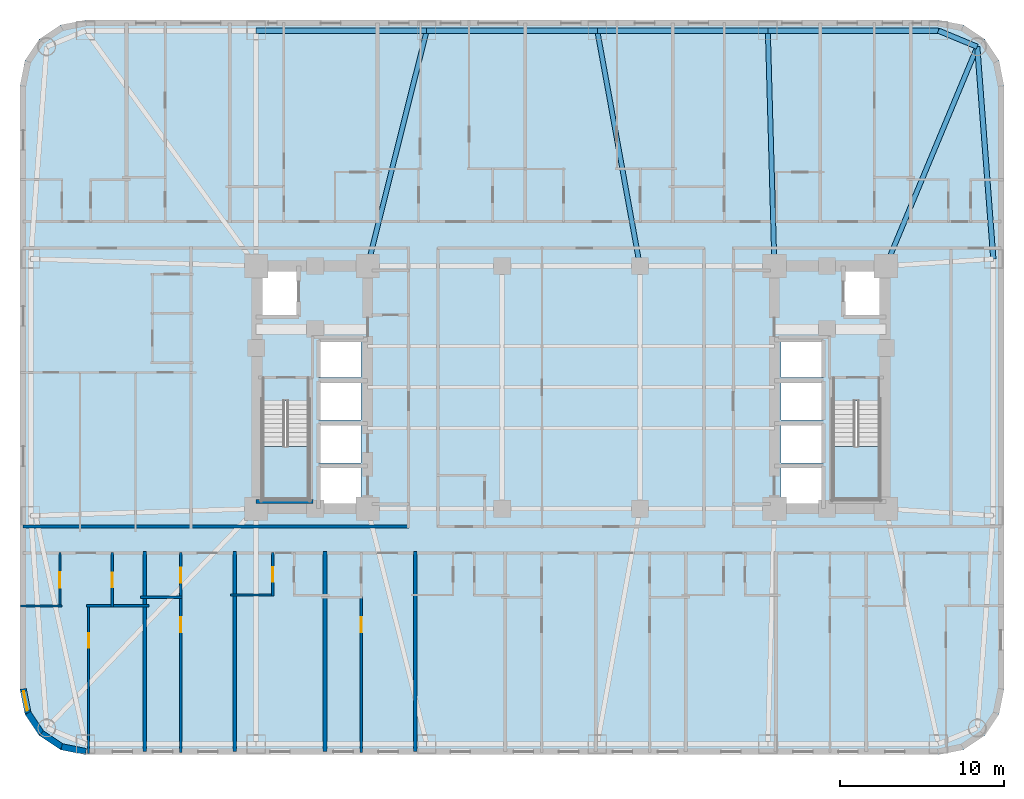
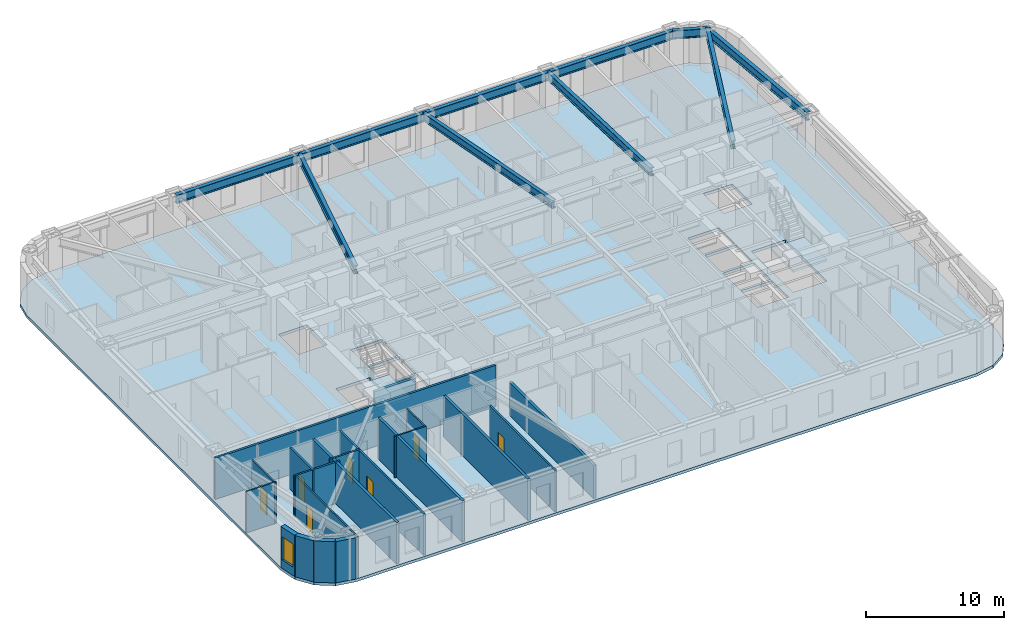
# One storey, part 2 of 11: 21 walls, 10 beams, 7 doors, 3 slabs, 1 window, 8 openings, 2 elements without a shape of their own.
"""IFC4 building model written with IfcOpenShell, lengths in metres."""

from ifc_helpers import new_model, si_unit, direction, frame, frame_2d, origin, origin_2d, place, context, subcontext, project, spatial, polyline, rectangle, i_section, outline, extrude, material, layer, layer_set, material_profile, profile_set, type_object, element, fill, aggregate, save


model = new_model("IFC4")

# Units and contexts
model_context = context("Model", 3, precision=1e-05, world=origin(), true_north=direction((0.0, 1.0)))
body_context = subcontext(model_context, "Body", "Model", "MODEL_VIEW")
ifc_project = project(units=[si_unit("LENGTHUNIT", "METRE"), si_unit("AREAUNIT", "SQUARE_METRE"), si_unit("VOLUMEUNIT", "CUBIC_METRE"), si_unit("PLANEANGLEUNIT", "RADIAN"), si_unit("MASSUNIT", "GRAM", prefix="KILO")], contexts=[model_context])

# Site, building, storey
site_placement = place(None, origin())
site = spatial("IfcSite", under=ifc_project, at=site_placement, CompositionType="ELEMENT")
building_placement = place(site_placement, origin())
building = spatial("IfcBuilding", under=site, at=building_placement, Name="Voryun Gate Residences", CompositionType="ELEMENT")
storey_placement = place(building_placement, frame((0.0, 0.0, 33.800048828125)))
storey = spatial("IfcBuildingStorey", under=building, at=storey_placement, Name="L07", CompositionType="ELEMENT", Elevation=33.800048828125)

# Beams
ifc_material_1 = material(Name="Steel SM355", Category="steel")
ifc_material_profile_1 = material_profile(ifc_material_1, i_section(OverallWidth=0.320068359375, OverallDepth=0.75, WebThickness=0.01611328125, FlangeThickness=0.028076171875, FilletRadius=0.01806640625, at=origin_2d()), Name="H-750x320x16x28")
ifc_profile_set_1 = profile_set([ifc_material_profile_1], Name="Steel SM355")
beam_type_1 = type_object("IfcBeamType", Name="BM_EXO_SPANDREL_L", PredefinedType="SPANDREL", material=ifc_profile_set_1)
beam_1_placement = place(storey_placement, frame((25.75, 7.830078125, 3.27490234375), z_axis=(-0.075617360159, 0.997136908776, 0.0), x_axis=(-0.997136908776, -0.075617360159, 0.0)))
element("IfcBeam", 1, at=beam_1_placement, inside=storey, type_object=beam_type_1, Name="BM-L07-SPAND-09", PredefinedType="SPANDREL", context=body_context, shape_type="SweptSolid", body=[
    extrude(i_section(OverallWidth=0.320068359375, OverallDepth=0.75, WebThickness=0.01611328125, FlangeThickness=0.028076171875, FilletRadius=0.01806640625, at=origin_2d()), origin(), (0.0, 0.0, 1.0), 12.975830078125),
])
beam_2_placement = place(storey_placement, frame((24.768798828125, 20.768798828125, 3.27490234375), z_axis=(-0.923883376753, 0.382674151414, 0.0), x_axis=(-0.382674151414, -0.923883376753, 0.0)))
element("IfcBeam", 2, at=beam_2_placement, inside=storey, type_object=beam_type_1, Name="BM-L07-SPAND-10", PredefinedType="SPANDREL", context=body_context, shape_type="SweptSolid", body=[
    extrude(i_section(OverallWidth=0.320068359375, OverallDepth=0.75, WebThickness=0.01611328125, FlangeThickness=0.028076171875, FilletRadius=0.01806640625, at=origin_2d()), origin(), (0.0, 0.0, 1.0), 2.56396484375),
])
for number, where, z_axis, x_axis, name in (
    (3, (22.39990234375, 21.75, 3.27490234375), (-1.0, 0.0, 0.0), (0.0, -1.0, 0.0), "BM-L07-SPAND-11"),
    (4, (12.0, 21.75, 3.27490234375), (-1.0, 0.0, 0.0), (0.0, -1.0, 0.0), "BM-L07-SPAND-12"),
):
    element("IfcBeam", number, at=place(storey_placement, frame(where, z_axis=z_axis, x_axis=x_axis)), inside=storey, type_object=beam_type_1, Name=name, PredefinedType="SPANDREL", context=body_context, shape_type="SweptSolid", body=[
        extrude(i_section(OverallWidth=0.320068359375, OverallDepth=0.75, WebThickness=0.01611328125, FlangeThickness=0.028076171875, FilletRadius=0.01806640625, at=origin_2d()), origin(), (0.0, 0.0, 1.0), 10.39990234375),
    ])
beam_3_placement = place(storey_placement, frame((1.60009765625, 21.75, 3.27490234375), z_axis=(-1.0, 0.0, 0.0), x_axis=(0.0, -1.0, 0.0)))
element("IfcBeam", 5, at=beam_3_placement, inside=storey, type_object=beam_type_1, Name="BM-L07-SPAND-13", PredefinedType="SPANDREL", context=body_context, shape_type="SweptSolid", body=[
    extrude(i_section(OverallWidth=0.320068359375, OverallDepth=0.75, WebThickness=0.01611328125, FlangeThickness=0.028076171875, FilletRadius=0.01806640625, at=origin_2d()), origin(), (0.0, 0.0, 1.0), 10.400146484375),
])
beam_4_placement = place(storey_placement, frame((-8.800048828125, 21.75, 3.27490234375), z_axis=(-1.0, 0.0, 0.0), x_axis=(0.0, -1.0, 0.0)))
element("IfcBeam", 6, at=beam_4_placement, inside=storey, type_object=beam_type_1, Name="BM-L07-SPAND-14", PredefinedType="SPANDREL", context=body_context, shape_type="SweptSolid", body=[
    extrude(i_section(OverallWidth=0.320068359375, OverallDepth=0.75, WebThickness=0.01611328125, FlangeThickness=0.028076171875, FilletRadius=0.01806640625, at=origin_2d()), origin(), (0.0, 0.0, 1.0), 10.39990234375),
])
ifc_material_2 = material(Name="Steel SM355", Category="steel")
ifc_material_profile_2 = material_profile(ifc_material_2, i_section(OverallWidth=0.300048828125, OverallDepth=0.699951171875, WebThickness=0.012939453125, FlangeThickness=0.02392578125, FilletRadius=0.01806640625, at=origin_2d()), Name="H-700x300x13x24")
ifc_profile_set_2 = profile_set([ifc_material_profile_2], Name="Steel SM355")
beam_type_2 = type_object("IfcBeamType", Name="BM_GIRD_700", PredefinedType="USERDEFINED", material=ifc_profile_set_2)
beam_5_placement = place(storey_placement, frame((19.199951171875, 7.39990234375, 3.300048828125), z_axis=(0.384525607719, 0.923114324993, 0.0), x_axis=(-0.923114324993, 0.384525607719, 0.0)))
element("IfcBeam", 7, at=beam_5_placement, inside=storey, type_object=beam_type_2, Name="BM-L07-RAD-CNE", ObjectType="GIRDER", PredefinedType="USERDEFINED", context=body_context, shape_type="SweptSolid", body=[
    extrude(i_section(OverallWidth=0.300048828125, OverallDepth=0.699951171875, WebThickness=0.012939453125, FlangeThickness=0.02392578125, FilletRadius=0.01806640625, at=origin_2d()), origin(), (0.0, 0.0, 1.0), 14.482421875),
])
beam_6_placement = place(storey_placement, frame((12.39990234375, 7.39990234375, 3.300048828125), z_axis=(-0.0278567548, 0.999611925305, 0.0), x_axis=(-0.999611925305, -0.0278567548, 0.0)))
element("IfcBeam", 8, at=beam_6_placement, inside=storey, type_object=beam_type_2, Name="BM-L07-RAD-N2", ObjectType="GIRDER", PredefinedType="USERDEFINED", context=body_context, shape_type="SweptSolid", body=[
    extrude(i_section(OverallWidth=0.300048828125, OverallDepth=0.699951171875, WebThickness=0.012939453125, FlangeThickness=0.02392578125, FilletRadius=0.01806640625, at=origin_2d()), origin(), (0.0, 0.0, 1.0), 14.355712890625),
])
beam_7_placement = place(storey_placement, frame((4.199951171875, 7.39990234375, 3.300048828125), z_axis=(-0.178271088758, 0.983981411874, 0.0), x_axis=(-0.983981411874, -0.178271088758, 0.0)))
element("IfcBeam", 9, at=beam_7_placement, inside=storey, type_object=beam_type_2, Name="BM-L07-RAD-N3", ObjectType="GIRDER", PredefinedType="USERDEFINED", context=body_context, shape_type="SweptSolid", body=[
    extrude(i_section(OverallWidth=0.300048828125, OverallDepth=0.699951171875, WebThickness=0.012939453125, FlangeThickness=0.02392578125, FilletRadius=0.01806640625, at=origin_2d()), origin(), (0.0, 0.0, 1.0), 14.583740234375),
])
beam_8_placement = place(storey_placement, frame((-12.39990234375, 7.39990234375, 3.300048828125), z_axis=(0.243319869291, 0.969946102218, 0.0), x_axis=(-0.969946102218, 0.243319869291, 0.0)))
element("IfcBeam", 10, at=beam_8_placement, inside=storey, type_object=beam_type_2, Name="BM-L07-RAD-N4", ObjectType="GIRDER", PredefinedType="USERDEFINED", context=body_context, shape_type="SweptSolid", body=[
    extrude(i_section(OverallWidth=0.300048828125, OverallDepth=0.699951171875, WebThickness=0.012939453125, FlangeThickness=0.02392578125, FilletRadius=0.01806640625, at=origin_2d()), origin(), (0.0, 0.0, 1.0), 14.794677734375),
])

# Slab
ifc_material_3 = material(Name="Concrete C40/50", Category="concrete")
ifc_layer_1 = layer(ifc_material_3, 0.25, Name="SLB_RES_250")
ifc_layer_set_1 = layer_set([ifc_layer_1], Name="Concrete C40/50")
slab_type_1 = type_object("IfcSlabType", Name="SLB_RES_250", PredefinedType="FLOOR", material=ifc_layer_set_1)
slab_1_placement = place(storey_placement, frame((0.0, 0.0, -0.25)))
element("IfcSlab", 11, at=slab_1_placement, inside=storey, type_object=slab_type_1, Name="L07 Structural Floor Slab", PredefinedType="FLOOR", context=body_context, shape_type="SweptSolid", body=[
    extrude(outline(polyline([(-29.60009765625, -22.39990234375), (-31.130615234375, -22.095458984375), (-32.428466796875, -21.228515625), (-33.29541015625, -19.9306640625), (-33.60009765625, -18.39990234375), (-33.60009765625, 18.39990234375), (-33.29541015625, 19.9306640625), (-32.428466796875, 21.228515625), (-31.130615234375, 22.095458984375), (-29.60009765625, 22.39990234375), (22.39990234375, 22.39990234375), (23.9306640625, 22.095458984375), (25.228515625, 21.228515625), (26.095458984375, 19.9306640625), (26.39990234375, 18.39990234375), (26.39990234375, -18.39990234375), (26.095458984375, -19.9306640625), (25.228515625, -21.228515625), (23.9306640625, -22.095458984375), (22.39990234375, -22.39990234375), (-29.60009765625, -22.39990234375)]), holes=[polyline([(-12.800048828125, -4.800048828125), (-15.39990234375, -4.800048828125), (-15.39990234375, -7.199951171875), (-12.800048828125, -7.199951171875), (-12.800048828125, -4.800048828125)]), polyline([(-18.824951171875, -6.85009765625), (-15.97509765625, -6.85009765625), (-15.97509765625, -0.840087890625), (-18.824951171875, -0.840087890625), (-18.824951171875, -6.85009765625)]), polyline([(-12.800048828125, -4.60009765625), (-12.800048828125, -2.199951171875), (-15.39990234375, -2.199951171875), (-15.39990234375, -4.60009765625), (-12.800048828125, -4.60009765625)]), polyline([(-12.800048828125, 0.39990234375), (-15.39990234375, 0.39990234375), (-15.39990234375, -2.0), (-12.800048828125, -2.0), (-12.800048828125, 0.39990234375)]), polyline([(-12.800048828125, 0.60009765625), (-12.800048828125, 2.89990234375), (-15.39990234375, 2.89990234375), (-15.39990234375, 0.60009765625), (-12.800048828125, 0.60009765625)]), polyline([(-16.60009765625, 4.300048828125), (-16.60009765625, 7.199951171875), (-19.0, 7.199951171875), (-19.0, 4.300048828125), (-16.60009765625, 4.300048828125)]), polyline([(15.39990234375, -4.800048828125), (12.800048828125, -4.800048828125), (12.800048828125, -7.199951171875), (15.39990234375, -7.199951171875), (15.39990234375, -4.800048828125)]), polyline([(15.97509765625, -6.85009765625), (18.824951171875, -6.85009765625), (18.824951171875, -0.840087890625), (15.97509765625, -0.840087890625), (15.97509765625, -6.85009765625)]), polyline([(15.39990234375, -4.60009765625), (15.39990234375, -2.199951171875), (12.800048828125, -2.199951171875), (12.800048828125, -4.60009765625), (15.39990234375, -4.60009765625)]), polyline([(15.39990234375, 0.39990234375), (12.800048828125, 0.39990234375), (12.800048828125, -2.0), (15.39990234375, -2.0), (15.39990234375, 0.39990234375)]), polyline([(15.39990234375, 0.60009765625), (15.39990234375, 2.89990234375), (12.800048828125, 2.89990234375), (12.800048828125, 0.60009765625), (15.39990234375, 0.60009765625)]), polyline([(19.0, 4.300048828125), (19.0, 7.199951171875), (16.60009765625, 7.199951171875), (16.60009765625, 4.300048828125), (19.0, 4.300048828125)])]), origin(), (0.0, 0.0, 1.0), 0.25),
])

# Stair, slab
ifc_material_4 = material(Name="Concrete C40/50", Category="concrete")
stair_type = type_object("IfcStairType", Name="STR_CORE_DOGLEG_1350", PredefinedType="HALF_TURN_STAIR", material=ifc_material_4)
stair_1_placement = place(storey_placement, origin())
stair_1 = element("IfcStair", 12, at=stair_1_placement, inside=storey, type_object=stair_type, Name="L07 Special Escape Stair ST-W1", PredefinedType="HALF_TURN_STAIR")
ifc_material_5 = material(Name="Concrete C40/50", Category="concrete")
ifc_layer_2 = layer(ifc_material_5, 0.199951171875, Name="SLB_STAIR_LANDING_200")
ifc_layer_set_2 = layer_set([ifc_layer_2], Name="Concrete C40/50")
slab_type_2 = type_object("IfcSlabType", Name="SLB_STAIR_LANDING_200", PredefinedType="LANDING", material=ifc_layer_set_2)
slab_2_placement = place(storey_placement, frame((0.0, 0.0, 1.75)))
slab_2 = element("IfcSlab", 13, at=slab_2_placement, type_object=slab_type_2, Name="ST-W1 landing 1", PredefinedType="LANDING", context=body_context, shape_type="SweptSolid", body=[
    extrude(outline(polyline([(-18.824951171875, -3.60009765625), (-18.824951171875, -6.85009765625), (-15.97509765625, -6.85009765625), (-15.97509765625, -3.60009765625), (-18.824951171875, -3.60009765625)])), origin(), (0.0, 0.0, 1.0), 0.199951171875),
])
aggregate(stair_1, [slab_2])

stair_2_placement = place(storey_placement, origin())
stair_2 = element("IfcStair", 14, at=stair_2_placement, inside=storey, type_object=stair_type, Name="L07 Special Escape Stair ST-E1", PredefinedType="HALF_TURN_STAIR")
slab_3_placement = place(storey_placement, frame((0.0, 0.0, 1.75)))
slab_3 = element("IfcSlab", 15, at=slab_3_placement, type_object=slab_type_2, Name="ST-E1 landing 1", PredefinedType="LANDING", context=body_context, shape_type="SweptSolid", body=[
    extrude(outline(polyline([(15.97509765625, -3.60009765625), (15.97509765625, -6.85009765625), (18.824951171875, -6.85009765625), (18.824951171875, -3.60009765625), (15.97509765625, -3.60009765625)])), origin(), (0.0, 0.0, 1.0), 0.199951171875),
])
aggregate(stair_2, [slab_3])

# Walls
ifc_material_6 = material(Name="Gypsum acoustic fireboard")
ifc_layer_3 = layer(ifc_material_6, 0.179931640625, Name="W_CORR_RATED_180")
ifc_layer_set_3 = layer_set([ifc_layer_3], Name="Gypsum acoustic fireboard")
wall_type_1 = type_object("IfcWallType", Name="W_CORR_RATED_180", PredefinedType="PARTITIONING", material=ifc_layer_set_3)
wall_1_placement = place(storey_placement, frame((-33.409912109375, -8.489990234375, 0.0), z_axis=(0.0, 0.0, 1.0), x_axis=(1.0, 0.0, 0.0)))
element("IfcWall", 16, at=wall_1_placement, inside=storey, type_object=wall_type_1, Name="Partition wall WP-L07-CWING-WS", PredefinedType="PARTITIONING", context=body_context, shape_type="SweptSolid", body=[
    extrude(rectangle(XDim=23.530029296875, YDim=0.179931640625, at=frame_2d((11.76513671875, 0.0))), origin(), (0.0, 0.0, 1.0), 3.64990234375),
])
ifc_material_7 = material(Name="Granite masonry", Category="masonry")
ifc_layer_4 = layer(ifc_material_7, 0.3798828125, Name="W_EXT_GRANITE_380")
ifc_layer_set_4 = layer_set([ifc_layer_4], Name="Granite masonry")
wall_type_2 = type_object("IfcWallType", Name="W_EXT_GRANITE_380", PredefinedType="ELEMENTEDWALL", material=ifc_layer_set_4)
wall_2_placement = place(storey_placement, frame((-29.581298828125, -22.2099609375, 0.0), z_axis=(0.0, 0.0, 1.0), x_axis=(-0.980786132421, 0.195086038585, 0.0)))
element("IfcWall", 17, at=wall_2_placement, inside=storey, type_object=wall_type_2, Name="Exterior wall WEXT-L07-02", PredefinedType="ELEMENTEDWALL", context=body_context, shape_type="SweptSolid", body=[
    extrude(rectangle(XDim=1.504150390625, YDim=0.3798828125, at=frame_2d((0.751953125, 0.0))), origin(), (0.0, 0.0, 1.0), 3.64990234375),
])
wall_3_placement = place(storey_placement, frame((-31.056640625, -21.91650390625, 0.0), z_axis=(0.0, 0.0, 1.0), x_axis=(-0.831442848281, 0.555610286119, 0.0)))
element("IfcWall", 18, at=wall_3_placement, inside=storey, type_object=wall_type_2, Name="Exterior wall WEXT-L07-03", PredefinedType="ELEMENTEDWALL", context=body_context, shape_type="SweptSolid", body=[
    extrude(rectangle(XDim=1.485107421875, YDim=0.3798828125, at=frame_2d((0.74267578125, 0.0))), origin(), (0.0, 0.0, 1.0), 3.64990234375),
])
wall_4_placement = place(storey_placement, frame((-32.29150390625, -21.09130859375, 0.0), z_axis=(0.0, 0.0, 1.0), x_axis=(-0.555572577804, 0.831468045563, 0.0)))
element("IfcWall", 19, at=wall_4_placement, inside=storey, type_object=wall_type_2, Name="Exterior wall WEXT-L07-04", PredefinedType="ELEMENTEDWALL", context=body_context, shape_type="SweptSolid", body=[
    extrude(rectangle(XDim=1.48486328125, YDim=0.3798828125, at=frame_2d((0.742431640625, 0.0))), origin(), (0.0, 0.0, 1.0), 3.64990234375),
])

# Wall, opening, window
wall_5_placement = place(storey_placement, frame((-33.116455078125, -19.856689453125, 0.0), z_axis=(0.0, 0.0, 1.0), x_axis=(-0.195086038585, 0.980786132421, 0.0)))
wall_5 = element("IfcWall", 20, at=wall_5_placement, inside=storey, type_object=wall_type_2, Name="Exterior wall WEXT-L07-05", PredefinedType="ELEMENTEDWALL", context=body_context, shape_type="SweptSolid", body=[
    extrude(rectangle(XDim=1.504150390625, YDim=0.3798828125, at=frame_2d((0.751953125, 0.0))), origin(), (0.0, 0.0, 1.0), 3.64990234375),
])
opening_1_placement = place(wall_5_placement, frame((0.152099609375, 0.0, 0.75)))
opening_1 = element("IfcOpeningElement", 21, at=opening_1_placement, cuts=wall_5, Name="Opening WN6", PredefinedType="OPENING", context=body_context, shape_type="SweptSolid", body=[
    extrude(rectangle(XDim=1.199951171875, YDim=2.050048828125, at=frame_2d((0.60009765625, 1.02490234375))), frame((0.0, 0.199951171875, 0.0), z_axis=(0.0, -1.0, 0.0), x_axis=(1.0, 0.0, 0.0)), (0.0, 0.0, 1.0), 0.39990234375),
])
ifc_material_8 = material(Name="Laminated low-E glass", Category="glass")
window_type = type_object("IfcWindowType", Name="WN_POD_SLOT_1200", PartitioningType="SINGLE_PANEL", PredefinedType="WINDOW", material=ifc_material_8)
window_placement = place(opening_1_placement, origin())
window = element("IfcWindow", 22, at=window_placement, inside=storey, type_object=window_type, Name="Window WN-L07-DWFIX-14", OverallHeight=2.050048828125, OverallWidth=1.199951171875, PartitioningType="SINGLE_PANEL", PredefinedType="WINDOW", context=body_context, shape_type="SweptSolid", body=[
    extrude(rectangle(XDim=1.199951171875, YDim=2.050048828125, at=frame_2d((0.60009765625, 1.02490234375))), frame((0.0, 0.030029296875, 0.0), z_axis=(0.0, -1.0, 0.0), x_axis=(1.0, 0.0, 0.0)), (0.0, 0.0, 1.0), 0.06005859375),
])
fill(opening_1, window)

# Walls
ifc_material_9 = material(Name="Concrete C40/50", Category="concrete")
ifc_layer_5 = layer(ifc_material_9, 0.219970703125, Name="W_PARTY_ACOUSTIC_220")
ifc_layer_set_5 = layer_set([ifc_layer_5], Name="Concrete C40/50")
wall_type_3 = type_object("IfcWallType", Name="W_PARTY_ACOUSTIC_220", PredefinedType="PARTITIONING", material=ifc_layer_set_5)
for number, where, z_axis, x_axis, name in (
    (23, (-26.0, -22.2099609375, 0.0), (0.0, 0.0, 1.0), (0.0, 1.0, 0.0), "Partition wall WP-L07-SPTY-1"),
    (24, (-20.5, -22.2099609375, 0.0), (0.0, 0.0, 1.0), (0.0, 1.0, 0.0), "Partition wall WP-L07-SPTY-2"),
    (25, (-15.0, -22.2099609375, 0.0), (0.0, 0.0, 1.0), (0.0, 1.0, 0.0), "Partition wall WP-L07-SPTY-3"),
):
    element("IfcWall", number, at=place(storey_placement, frame(where, z_axis=z_axis, x_axis=x_axis)), inside=storey, type_object=wall_type_3, Name=name, PredefinedType="PARTITIONING", context=body_context, shape_type="SweptSolid", body=[
        extrude(rectangle(XDim=12.18994140625, YDim=0.219970703125, at=frame_2d((6.094970703125, 0.0))), origin(), (0.0, 0.0, 1.0), 3.64990234375),
    ])
wall_6_placement = place(storey_placement, frame((-9.5, -22.2099609375, 0.0), z_axis=(0.0, 0.0, 1.0), x_axis=(0.0, 1.0, 0.0)))
element("IfcWall", 26, at=wall_6_placement, inside=storey, type_object=wall_type_3, Name="Partition wall WP-L07-SPTY-4", PredefinedType="PARTITIONING", context=body_context, shape_type="SweptSolid", body=[
    extrude(rectangle(XDim=12.18994140625, YDim=0.219970703125, at=frame_2d((6.094970703125, 0.0))), origin(), (0.0, 0.0, 1.0), 2.93994140625),
])
ifc_material_10 = material(Name="Concrete C50/60", Category="concrete")
ifc_layer_6 = layer(ifc_material_10, 0.25, Name="W_SHAFT_RC250")
ifc_layer_set_6 = layer_set([ifc_layer_6], Name="Concrete C50/60")
wall_type_4 = type_object("IfcWallType", Name="W_SHAFT_RC250", PredefinedType="SOLIDWALL", material=ifc_layer_set_6)
wall_7_placement = place(storey_placement, frame((-19.199951171875, -6.965087890625, 0.0), z_axis=(0.0, 0.0, 1.0), x_axis=(1.0, 0.0, 0.0)))
element("IfcWall", 27, at=wall_7_placement, inside=storey, type_object=wall_type_4, Name="L07 Stair shaft structural wall W-STS", PredefinedType="SOLIDWALL", context=body_context, shape_type="SweptSolid", body=[
    extrude(rectangle(XDim=3.4599609375, YDim=0.25, at=frame_2d((1.72998046875, 0.0))), origin(), (0.0, 0.0, 1.0), 3.64990234375),
])

# Wall, opening, door
ifc_material_11 = material(Name="Gypsum acoustic partition")
ifc_layer_7 = layer(ifc_material_11, 0.125, Name="W_UNIT_PART_125")
ifc_layer_set_7 = layer_set([ifc_layer_7], Name="Gypsum acoustic partition")
wall_type_5 = type_object("IfcWallType", Name="W_UNIT_PART_125", PredefinedType="PARTITIONING", material=ifc_layer_set_7)
wall_8_placement = place(storey_placement, frame((-29.409912109375, -22.360107421875, 0.0), z_axis=(0.0, 0.0, 1.0), x_axis=(0.0, 1.0, 0.0)))
wall_8 = element("IfcWall", 28, at=wall_8_placement, inside=storey, type_object=wall_type_5, Name="Partition wall WP-L07-S1-OVR", PredefinedType="PARTITIONING", context=body_context, shape_type="SweptSolid", body=[
    extrude(rectangle(XDim=9.1201171875, YDim=0.125, at=frame_2d((4.56005859375, 0.0))), origin(), (0.0, 0.0, 1.0), 3.64990234375),
])
opening_2_placement = place(wall_8_placement, frame((6.481201171875, 0.0, 0.0)))
opening_2 = element("IfcOpeningElement", 29, at=opening_2_placement, cuts=wall_8, Name="Opening D-INT-2", PredefinedType="OPENING", context=body_context, shape_type="SweptSolid", body=[
    extrude(rectangle(XDim=0.89990234375, YDim=2.050048828125, at=frame_2d((0.449951171875, 1.02490234375))), frame((0.0, 0.072509765625, 0.0), z_axis=(0.0, -1.0, 0.0), x_axis=(1.0, 0.0, 0.0)), (0.0, 0.0, 1.0), 0.14501953125),
])
ifc_material_12 = material(Name="Architectural oak veneer")
door_type_1 = type_object("IfcDoorType", Name="DR_INT_BATH_900", OperationType="NOTDEFINED", PredefinedType="DOOR", material=ifc_material_12)
door_1_placement = place(opening_2_placement, origin())
door_1 = element("IfcDoor", 30, at=door_1_placement, inside=storey, type_object=door_type_1, Name="Door DR-L07-S1-DMB", OperationType="SINGLE_SWING_RIGHT", OverallHeight=2.050048828125, OverallWidth=0.89990234375, PredefinedType="DOOR", context=body_context, shape_type="SweptSolid", body=[
    extrude(rectangle(XDim=0.89990234375, YDim=2.050048828125, at=frame_2d((0.449951171875, 1.02490234375))), frame((0.0, 0.02490234375, 0.0), z_axis=(0.0, -1.0, 0.0), x_axis=(1.0, 0.0, 0.0)), (0.0, 0.0, 1.0), 0.050048828125),
])
fill(opening_2, door_1)

wall_9_placement = place(storey_placement, frame((-31.16796875, -13.39990234375, 0.0), z_axis=(0.0, 0.0, 1.0), x_axis=(0.0, 1.0, 0.0)))
wall_9 = element("IfcWall", 31, at=wall_9_placement, inside=storey, type_object=wall_type_5, Name="Partition wall WP-L07-S1-IVK", PredefinedType="PARTITIONING", context=body_context, shape_type="SweptSolid", body=[
    extrude(rectangle(XDim=3.31982421875, YDim=0.125, at=frame_2d((1.659912109375, 0.0))), origin(), (0.0, 0.0, 1.0), 3.64990234375),
])
opening_3_placement = place(wall_9_placement, frame((1.18505859375, 0.0, 0.0)))
opening_3 = element("IfcOpeningElement", 32, at=opening_3_placement, cuts=wall_9, Name="Opening D-INT-1", PredefinedType="OPENING", context=body_context, shape_type="SweptSolid", body=[
    extrude(rectangle(XDim=0.949951171875, YDim=2.050048828125, at=frame_2d((0.47509765625, 1.02490234375))), frame((0.0, 0.072509765625, 0.0), z_axis=(0.0, -1.0, 0.0), x_axis=(1.0, 0.0, 0.0)), (0.0, 0.0, 1.0), 0.14501953125),
])
ifc_material_13 = material(Name="Architectural oak veneer")
door_type_2 = type_object("IfcDoorType", Name="DR_INT_ROOM_950", OperationType="NOTDEFINED", PredefinedType="DOOR", material=ifc_material_13)
door_2_placement = place(opening_3_placement, origin())
door_2 = element("IfcDoor", 33, at=door_2_placement, inside=storey, type_object=door_type_2, Name="Door DR-L07-S1-DK", OperationType="SINGLE_SWING_LEFT", OverallHeight=2.050048828125, OverallWidth=0.949951171875, PredefinedType="DOOR", context=body_context, shape_type="SweptSolid", body=[
    extrude(rectangle(XDim=0.949951171875, YDim=2.050048828125, at=frame_2d((0.47509765625, 1.02490234375))), frame((0.0, 0.02490234375, 0.0), z_axis=(0.0, -1.0, 0.0), x_axis=(1.0, 0.0, 0.0)), (0.0, 0.0, 1.0), 0.050048828125),
])
fill(opening_3, door_2)

# Wall
wall_10_placement = place(storey_placement, frame((-33.56005859375, -13.320068359375, 0.0), z_axis=(0.0, 0.0, 1.0), x_axis=(1.0, 0.0, 0.0)))
element("IfcWall", 34, at=wall_10_placement, inside=storey, type_object=wall_type_5, Name="Partition wall WP-L07-S1-HZK", PredefinedType="PARTITIONING", context=body_context, shape_type="SweptSolid", body=[
    extrude(rectangle(XDim=2.511962890625, YDim=0.125, at=frame_2d((1.255859375, 0.0))), origin(), (0.0, 0.0, 1.0), 3.64990234375),
])

# Wall, opening, door
wall_11_placement = place(storey_placement, frame((-18.18994140625, -12.72998046875, 0.0), z_axis=(0.0, 0.0, 1.0), x_axis=(0.0, 1.0, 0.0)))
wall_11 = element("IfcWall", 35, at=wall_11_placement, inside=storey, type_object=wall_type_5, Name="Partition wall WP-L07-S3-CVK", PredefinedType="PARTITIONING", context=body_context, shape_type="SweptSolid", body=[
    extrude(rectangle(XDim=2.64990234375, YDim=0.125, at=frame_2d((1.324951171875, 0.0))), origin(), (0.0, 0.0, 1.0), 3.64990234375),
])
opening_4_placement = place(wall_11_placement, frame((0.875, 0.0, 0.0)))
opening_4 = element("IfcOpeningElement", 36, at=opening_4_placement, cuts=wall_11, Name="Opening D-INT-2", PredefinedType="OPENING", context=body_context, shape_type="SweptSolid", body=[
    extrude(rectangle(XDim=0.89990234375, YDim=2.050048828125, at=frame_2d((0.449951171875, 1.02490234375))), frame((0.0, 0.072509765625, 0.0), z_axis=(0.0, -1.0, 0.0), x_axis=(1.0, 0.0, 0.0)), (0.0, 0.0, 1.0), 0.14501953125),
])
door_3_placement = place(opening_4_placement, origin())
door_3 = element("IfcDoor", 37, at=door_3_placement, inside=storey, type_object=door_type_1, Name="Door DR-L07-S3-DK", OperationType="SINGLE_SWING_LEFT", OverallHeight=2.050048828125, OverallWidth=0.89990234375, PredefinedType="DOOR", context=body_context, shape_type="SweptSolid", body=[
    extrude(rectangle(XDim=0.89990234375, YDim=2.050048828125, at=frame_2d((0.449951171875, 1.02490234375))), frame((0.0, 0.02490234375, 0.0), z_axis=(0.0, -1.0, 0.0), x_axis=(1.0, 0.0, 0.0)), (0.0, 0.0, 1.0), 0.050048828125),
])
fill(opening_4, door_3)

# Walls
wall_12_placement = place(storey_placement, frame((-20.760009765625, -12.669921875, 0.0), z_axis=(0.0, 0.0, 1.0), x_axis=(1.0, 0.0, 0.0)))
element("IfcWall", 38, at=wall_12_placement, inside=storey, type_object=wall_type_5, Name="Partition wall WP-L07-S3-CHK", PredefinedType="PARTITIONING", context=body_context, shape_type="SweptSolid", body=[
    extrude(rectangle(XDim=2.630126953125, YDim=0.125, at=frame_2d((1.31494140625, 0.0))), origin(), (0.0, 0.0, 1.0), 3.64990234375),
])
ifc_material_14 = material(Name="Gypsum moisture-resistant partition")
ifc_layer_8 = layer(ifc_material_14, 0.14990234375, Name="W_WET_PLUMB_150")
ifc_layer_set_8 = layer_set([ifc_layer_8], Name="Gypsum moisture-resistant partition")
wall_type_6 = type_object("IfcWallType", Name="W_WET_PLUMB_150", PredefinedType="PLUMBINGWALL", material=ifc_layer_set_8)
wall_13_placement = place(storey_placement, frame((-29.530029296875, -13.320068359375, 0.0), z_axis=(0.0, 0.0, 1.0), x_axis=(1.0, 0.0, 0.0)))
element("IfcWall", 39, at=wall_13_placement, inside=storey, type_object=wall_type_6, Name="Partition wall WP-L07-S1-HZB", PredefinedType="PLUMBINGWALL", context=body_context, shape_type="SweptSolid", body=[
    extrude(rectangle(XDim=3.7900390625, YDim=0.14990234375, at=frame_2d((1.89501953125, 0.0))), origin(), (0.0, 0.0, 1.0), 3.64990234375),
])

# Wall, opening, door
wall_14_placement = place(storey_placement, frame((-27.97998046875, -13.39990234375, 0.0), z_axis=(0.0, 0.0, 1.0), x_axis=(0.0, 1.0, 0.0)))
wall_14 = element("IfcWall", 40, at=wall_14_placement, inside=storey, type_object=wall_type_6, Name="Partition wall WP-L07-S1-IVB", PredefinedType="PLUMBINGWALL", context=body_context, shape_type="SweptSolid", body=[
    extrude(rectangle(XDim=3.31982421875, YDim=0.14990234375, at=frame_2d((1.659912109375, 0.0))), origin(), (0.0, 0.0, 1.0), 3.64990234375),
])
opening_5_placement = place(wall_14_placement, frame((1.2099609375, 0.0, 0.0)))
opening_5 = element("IfcOpeningElement", 41, at=opening_5_placement, cuts=wall_14, Name="Opening D-INT-2", PredefinedType="OPENING", context=body_context, shape_type="SweptSolid", body=[
    extrude(rectangle(XDim=0.89990234375, YDim=2.050048828125, at=frame_2d((0.449951171875, 1.02490234375))), frame((0.0, 0.0849609375, 0.0), z_axis=(0.0, -1.0, 0.0), x_axis=(1.0, 0.0, 0.0)), (0.0, 0.0, 1.0), 0.169921875),
])
door_4_placement = place(opening_5_placement, origin())
door_4 = element("IfcDoor", 42, at=door_4_placement, inside=storey, type_object=door_type_1, Name="Door DR-L07-S1-DB", OperationType="SINGLE_SWING_RIGHT", OverallHeight=2.050048828125, OverallWidth=0.89990234375, PredefinedType="DOOR", context=body_context, shape_type="SweptSolid", body=[
    extrude(rectangle(XDim=0.89990234375, YDim=2.050048828125, at=frame_2d((0.449951171875, 1.02490234375))), frame((0.0, 0.02490234375, 0.0), z_axis=(0.0, -1.0, 0.0), x_axis=(1.0, 0.0, 0.0)), (0.0, 0.0, 1.0), 0.050048828125),
])
fill(opening_5, door_4)

# Wall
wall_15_placement = place(storey_placement, frame((-26.260009765625, -12.800048828125, 0.0), z_axis=(0.0, 0.0, 1.0), x_axis=(1.0, 0.0, 0.0)))
element("IfcWall", 43, at=wall_15_placement, inside=storey, type_object=wall_type_6, Name="Partition wall WP-L07-S2-SKB", PredefinedType="PLUMBINGWALL", context=body_context, shape_type="SweptSolid", body=[
    extrude(rectangle(XDim=2.550048828125, YDim=0.14990234375, at=frame_2d((1.27490234375, 0.0))), origin(), (0.0, 0.0, 1.0), 3.64990234375),
])

# Wall, opening, door
wall_16_placement = place(storey_placement, frame((-23.7900390625, -22.257568359375, 0.0), z_axis=(0.0, 0.0, 1.0), x_axis=(0.0, 1.0, 0.0)))
wall_16 = element("IfcWall", 44, at=wall_16_placement, inside=storey, type_object=wall_type_6, Name="Partition wall WP-L07-S2-SVT1", PredefinedType="PLUMBINGWALL", context=body_context, shape_type="SweptSolid", body=[
    extrude(rectangle(XDim=9.49755859375, YDim=0.14990234375, at=frame_2d((4.748779296875, 0.0))), origin(), (0.0, 0.0, 1.0), 3.64990234375),
])
opening_6_placement = place(wall_16_placement, frame((7.337890625, 0.0, 0.0)))
opening_6 = element("IfcOpeningElement", 45, at=opening_6_placement, cuts=wall_16, Name="Opening D-INT-2", PredefinedType="OPENING", context=body_context, shape_type="SweptSolid", body=[
    extrude(rectangle(XDim=0.89990234375, YDim=2.050048828125, at=frame_2d((0.449951171875, 1.02490234375))), frame((0.0, 0.0849609375, 0.0), z_axis=(0.0, -1.0, 0.0), x_axis=(1.0, 0.0, 0.0)), (0.0, 0.0, 1.0), 0.169921875),
])
door_5_placement = place(opening_6_placement, origin())
door_5 = element("IfcDoor", 46, at=door_5_placement, inside=storey, type_object=door_type_1, Name="Door DR-L07-S2-DK", OperationType="SINGLE_SWING_LEFT", OverallHeight=2.050048828125, OverallWidth=0.89990234375, PredefinedType="DOOR", context=body_context, shape_type="SweptSolid", body=[
    extrude(rectangle(XDim=0.89990234375, YDim=2.050048828125, at=frame_2d((0.449951171875, 1.02490234375))), frame((0.0, 0.02490234375, 0.0), z_axis=(0.0, -1.0, 0.0), x_axis=(1.0, 0.0, 0.0)), (0.0, 0.0, 1.0), 0.050048828125),
])
fill(opening_6, door_5)

wall_17_placement = place(storey_placement, frame((-23.7900390625, -12.840087890625, 0.0), z_axis=(0.0, 0.0, 1.0), x_axis=(0.0, 1.0, 0.0)))
wall_17 = element("IfcWall", 47, at=wall_17_placement, inside=storey, type_object=wall_type_6, Name="Partition wall WP-L07-S2-SVT2", PredefinedType="PLUMBINGWALL", context=body_context, shape_type="SweptSolid", body=[
    extrude(rectangle(XDim=2.760009765625, YDim=0.14990234375, at=frame_2d((1.3798828125, 0.0))), origin(), (0.0, 0.0, 1.0), 3.64990234375),
])
opening_7_placement = place(wall_17_placement, frame((0.929931640625, 0.0, 0.0)))
opening_7 = element("IfcOpeningElement", 48, at=opening_7_placement, cuts=wall_17, Name="Opening D-INT-2", PredefinedType="OPENING", context=body_context, shape_type="SweptSolid", body=[
    extrude(rectangle(XDim=0.89990234375, YDim=2.050048828125, at=frame_2d((0.449951171875, 1.02490234375))), frame((0.0, 0.0849609375, 0.0), z_axis=(0.0, -1.0, 0.0), x_axis=(1.0, 0.0, 0.0)), (0.0, 0.0, 1.0), 0.169921875),
])
door_6_placement = place(opening_7_placement, origin())
door_6 = element("IfcDoor", 49, at=door_6_placement, inside=storey, type_object=door_type_1, Name="Door DR-L07-S2-DB", OperationType="SINGLE_SWING_RIGHT", OverallHeight=2.050048828125, OverallWidth=0.89990234375, PredefinedType="DOOR", context=body_context, shape_type="SweptSolid", body=[
    extrude(rectangle(XDim=0.89990234375, YDim=2.050048828125, at=frame_2d((0.449951171875, 1.02490234375))), frame((0.0, 0.02490234375, 0.0), z_axis=(0.0, -1.0, 0.0), x_axis=(1.0, 0.0, 0.0)), (0.0, 0.0, 1.0), 0.050048828125),
])
fill(opening_7, door_6)

wall_18_placement = place(storey_placement, frame((-12.7900390625, -22.257568359375, 0.0), z_axis=(0.0, 0.0, 1.0), x_axis=(0.0, 1.0, 0.0)))
wall_18 = element("IfcWall", 50, at=wall_18_placement, inside=storey, type_object=wall_type_6, Name="Partition wall WP-L07-S4-SVT1", PredefinedType="PLUMBINGWALL", context=body_context, shape_type="SweptSolid", body=[
    extrude(rectangle(XDim=9.49755859375, YDim=0.14990234375, at=frame_2d((4.748779296875, 0.0))), origin(), (0.0, 0.0, 1.0), 3.64990234375),
])
opening_8_placement = place(wall_18_placement, frame((7.337890625, 0.0, 0.0)))
opening_8 = element("IfcOpeningElement", 51, at=opening_8_placement, cuts=wall_18, Name="Opening D-INT-2", PredefinedType="OPENING", context=body_context, shape_type="SweptSolid", body=[
    extrude(rectangle(XDim=0.89990234375, YDim=2.050048828125, at=frame_2d((0.449951171875, 1.02490234375))), frame((0.0, 0.0849609375, 0.0), z_axis=(0.0, -1.0, 0.0), x_axis=(1.0, 0.0, 0.0)), (0.0, 0.0, 1.0), 0.169921875),
])
door_7_placement = place(opening_8_placement, origin())
door_7 = element("IfcDoor", 52, at=door_7_placement, inside=storey, type_object=door_type_1, Name="Door DR-L07-S4-DK", OperationType="SINGLE_SWING_LEFT", OverallHeight=2.050048828125, OverallWidth=0.89990234375, PredefinedType="DOOR", context=body_context, shape_type="SweptSolid", body=[
    extrude(rectangle(XDim=0.89990234375, YDim=2.050048828125, at=frame_2d((0.449951171875, 1.02490234375))), frame((0.0, 0.02490234375, 0.0), z_axis=(0.0, -1.0, 0.0), x_axis=(1.0, 0.0, 0.0)), (0.0, 0.0, 1.0), 0.050048828125),
])
fill(opening_8, door_7)

save(model, "model.ifc")
